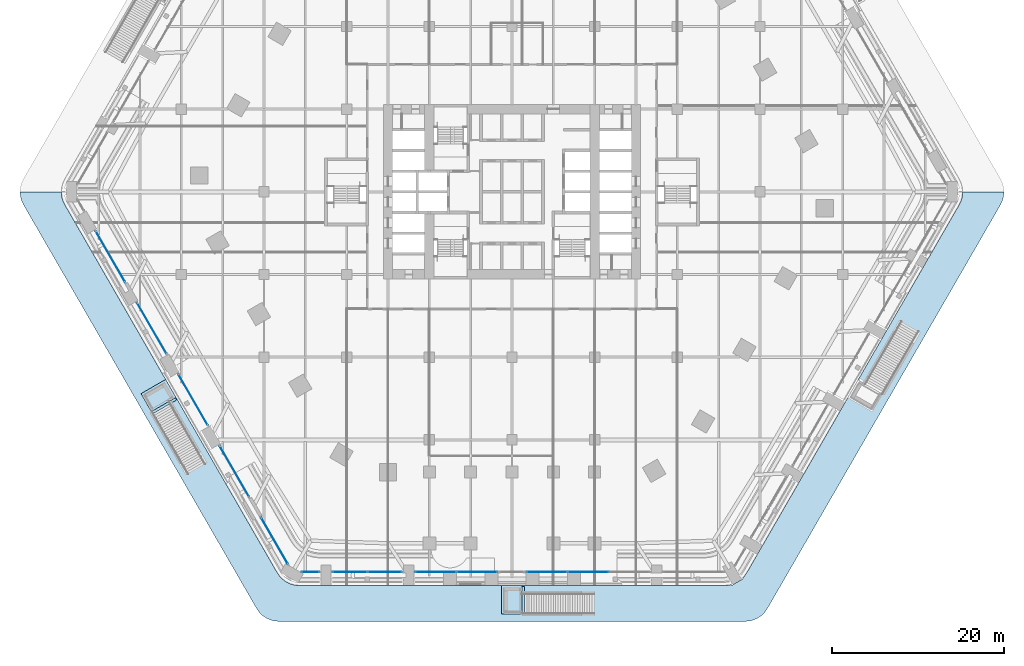
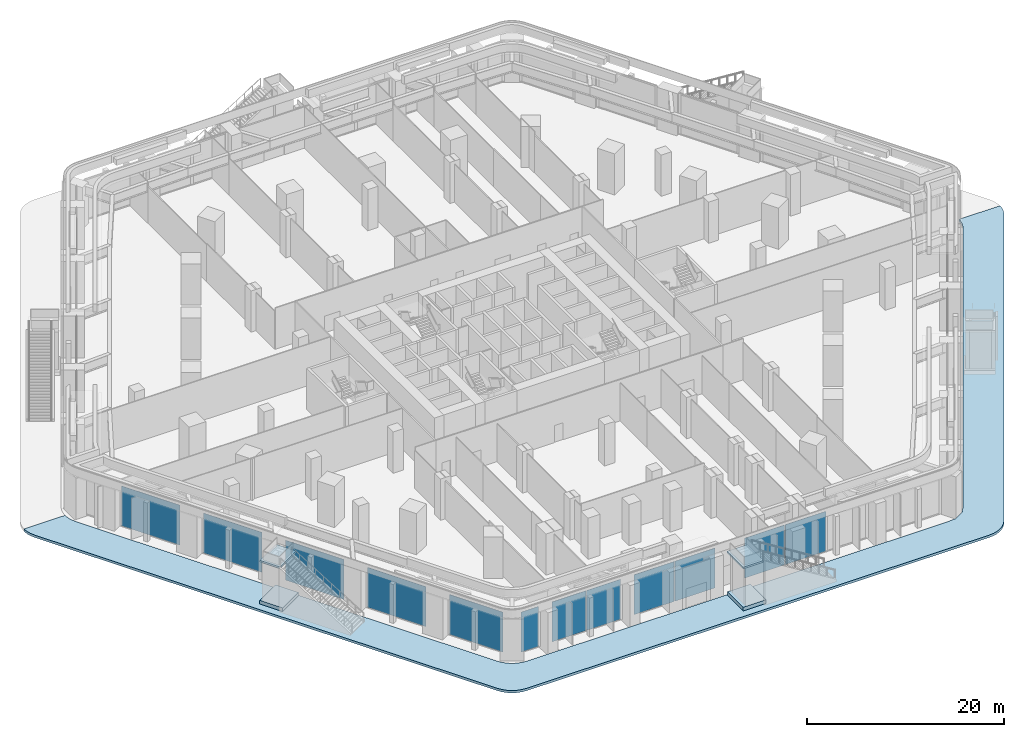
# One storey, part 12 of 34: 12 plates, 5 slabs, 11 elements without a shape of their own.
"""IFC4 building model written with IfcOpenShell, lengths in metres."""

from ifc_helpers import new_model, si_unit, direction, frame, origin, origin_2d, place, context, subcontext, project, spatial, polyline, rectangle, outline, extrude, material, layer, layer_set, type_object, element, aggregate, save


model = new_model("IFC4")

# Units and contexts
model_context = context("Model", 3, precision=1e-05, world=origin(), true_north=direction((0.0, 1.0)))
body_context = subcontext(model_context, "Body", "Model", "MODEL_VIEW")
ifc_project = project(units=[si_unit("LENGTHUNIT", "METRE"), si_unit("AREAUNIT", "SQUARE_METRE"), si_unit("VOLUMEUNIT", "CUBIC_METRE"), si_unit("PLANEANGLEUNIT", "RADIAN"), si_unit("MASSUNIT", "GRAM", prefix="KILO")], contexts=[model_context])

# Site, building, storey
site_placement = place(None, origin())
site = spatial("IfcSite", under=ifc_project, at=site_placement, CompositionType="ELEMENT")
building_placement = place(site_placement, origin())
building = spatial("IfcBuilding", under=site, at=building_placement, Name="Kolab Exchange Tower", CompositionType="ELEMENT")
storey_placement = place(building_placement, frame((0.0, 0.0, 7.0)))
storey = spatial("IfcBuildingStorey", under=building, at=storey_placement, Name="L01", CompositionType="ELEMENT", Elevation=7.0)

# Stair, slab
ifc_material_1 = material(Name="Concrete C40/50", Category="concrete")
stair_type = type_object("IfcStairType", Name="GARDEN STAIR RUN B", PredefinedType="STRAIGHT_RUN_STAIR", material=ifc_material_1)
stair_1_placement = place(storey_placement, origin())
stair_1 = element("IfcStair", 1, at=stair_1_placement, inside=storey, type_object=stair_type, Name="Garden stair GS4 run B", PredefinedType="STRAIGHT_RUN_STAIR")
ifc_layer_1 = layer(ifc_material_1, 0.199951171875)
ifc_layer_set_1 = layer_set([ifc_layer_1], Name="Concrete C40/50")
slab_type_1 = type_object("IfcSlabType", Name="GARDEN STAIR LANDING 200", PredefinedType="LANDING", material=ifc_layer_set_1)
slab_1_placement = place(storey_placement, frame((0.0, 0.0, 5.199951171875)))
slab_1 = element("IfcSlab", 2, at=slab_1_placement, type_object=slab_type_1, Name="GS4 landing 1", PredefinedType="LANDING", context=body_context, shape_type="SweptSolid", body=[
    extrude(outline(polyline([(1.1650390625, -45.72607421875), (-1.239990234375, -45.72607421875), (-1.239990234375, -49.026123046875), (1.1650390625, -49.026123046875), (1.1650390625, -45.72607421875)])), origin(), (0.0, 0.0, 1.0), 0.199951171875),
])
aggregate(stair_1, [slab_1])

stair_2_placement = place(storey_placement, origin())
stair_2 = element("IfcStair", 3, at=stair_2_placement, inside=storey, type_object=stair_type, Name="Garden stair GS5 run B", PredefinedType="STRAIGHT_RUN_STAIR")
slab_2_placement = place(storey_placement, frame((0.0, 0.0, 5.199951171875)))
slab_2 = element("IfcSlab", 4, at=slab_2_placement, type_object=slab_type_1, Name="GS5 landing 1", PredefinedType="LANDING", context=body_context, shape_type="SweptSolid", body=[
    extrude(outline(polyline([(-39.017578125, -23.8720703125), (-40.219970703125, -21.789306640625), (-43.077880859375, -23.439208984375), (-41.87548828125, -25.52197265625), (-39.017578125, -23.8720703125)])), origin(), (0.0, 0.0, 1.0), 0.199951171875),
])
aggregate(stair_2, [slab_2])

# Curtain wall, plates
ifc_material_2 = material(Name="Aluminium EN AW-6063 T6", Category="aluminium")
curtain_wall_type = type_object("IfcCurtainWallType", Name="PODIUM STRUCTURAL GLAZING CURTAIN WALL", PredefinedType="NOTDEFINED", material=ifc_material_2)
curtain_wall_1_placement = place(storey_placement, origin())
curtain_wall_1 = element("IfcCurtainWall", 5, at=curtain_wall_1_placement, inside=storey, type_object=curtain_wall_type, Name="cw/L01/F4-2", PredefinedType="NOTDEFINED")
ifc_material_3 = material(Name="Clear insulated glazing unit", Category="glass")
ifc_layer_2 = layer(ifc_material_3, 0.035888671875)
ifc_layer_set_2 = layer_set([ifc_layer_2], Name="Clear insulated glazing unit")
plate_type = type_object("IfcPlateType", Name="PODIUM STRUCTURAL GLAZING GLASS PANEL 36", PredefinedType="CURTAIN_PANEL", material=ifc_layer_set_2)
plate_1_placement = place(storey_placement, frame((8.868896484375, -44.146240234375, 0.080078125), z_axis=(0.0, 0.0, 1.0), x_axis=(-1.0, 0.0, 0.0)))
plate_1 = element("IfcPlate", 6, at=plate_1_placement, type_object=plate_type, Name="CW5 panel 2.1", PredefinedType="CURTAIN_PANEL", context=body_context, shape_type="SweptSolid", body=[
    extrude(rectangle(XDim=4.73388671875, YDim=0.035888671875, at=origin_2d()), origin(), (0.0, 0.0, 1.0), 4.93994140625),
])
plate_2_placement = place(storey_placement, frame((4.074951171875, -44.146240234375, 0.080078125), z_axis=(0.0, 0.0, 1.0), x_axis=(-1.0, 0.0, 0.0)))
plate_2 = element("IfcPlate", 7, at=plate_2_placement, type_object=plate_type, Name="CW5 panel 3.1", PredefinedType="CURTAIN_PANEL", context=body_context, shape_type="SweptSolid", body=[
    extrude(rectangle(XDim=4.694091796875, YDim=0.035888671875, at=origin_2d()), origin(), (0.0, 0.0, 1.0), 4.93994140625),
])
aggregate(curtain_wall_1, [plate_1, plate_2])

curtain_wall_2_placement = place(storey_placement, origin())
curtain_wall_2 = element("IfcCurtainWall", 8, at=curtain_wall_2_placement, inside=storey, type_object=curtain_wall_type, Name="cw/L01/F4-3", PredefinedType="NOTDEFINED")
plate_3_placement = place(storey_placement, frame((-4.07861328125, -44.146240234375, 0.080078125), z_axis=(0.0, 0.0, 1.0), x_axis=(-1.0, 0.0, 0.0)))
plate_3 = element("IfcPlate", 9, at=plate_3_placement, type_object=plate_type, Name="CW5 panel 1.1", PredefinedType="CURTAIN_PANEL", context=body_context, shape_type="SweptSolid", body=[
    extrude(rectangle(XDim=4.700927734375, YDim=0.035888671875, at=origin_2d()), origin(), (0.0, 0.0, 1.0), 4.93994140625),
])
plate_4_placement = place(storey_placement, frame((-8.859619140625, -44.146240234375, 0.080078125), z_axis=(0.0, 0.0, 1.0), x_axis=(-1.0, 0.0, 0.0)))
plate_4 = element("IfcPlate", 10, at=plate_4_placement, type_object=plate_type, Name="CW5 panel 2.1", PredefinedType="CURTAIN_PANEL", context=body_context, shape_type="SweptSolid", body=[
    extrude(rectangle(XDim=4.700927734375, YDim=0.035888671875, at=origin_2d()), origin(), (0.0, 0.0, 1.0), 4.93994140625),
])
aggregate(curtain_wall_2, [plate_3, plate_4])

curtain_wall_3_placement = place(storey_placement, origin())
curtain_wall_3 = element("IfcCurtainWall", 11, at=curtain_wall_3_placement, inside=storey, type_object=curtain_wall_type, Name="cw/L01/F4-4", PredefinedType="NOTDEFINED")
plate_5_placement = place(storey_placement, frame((-14.77490234375, -44.146240234375, 0.080078125), z_axis=(0.0, 0.0, 1.0), x_axis=(-1.0, 0.0, 0.0)))
plate_5 = element("IfcPlate", 12, at=plate_5_placement, type_object=plate_type, Name="CW5 panel 1.1", PredefinedType="CURTAIN_PANEL", context=body_context, shape_type="SweptSolid", body=[
    extrude(rectangle(XDim=3.969970703125, YDim=0.035888671875, at=origin_2d()), origin(), (0.0, 0.0, 1.0), 4.93994140625),
])
plate_6_placement = place(storey_placement, frame((-18.824951171875, -44.146240234375, 0.080078125), z_axis=(0.0, 0.0, 1.0), x_axis=(-1.0, 0.0, 0.0)))
plate_6 = element("IfcPlate", 13, at=plate_6_placement, type_object=plate_type, Name="CW5 panel 2.1", PredefinedType="CURTAIN_PANEL", context=body_context, shape_type="SweptSolid", body=[
    extrude(rectangle(XDim=3.969970703125, YDim=0.035888671875, at=origin_2d()), origin(), (0.0, 0.0, 1.0), 4.93994140625),
])
aggregate(curtain_wall_3, [plate_5, plate_6])

# Curtain wall, plate
curtain_wall_4_placement = place(storey_placement, origin())
curtain_wall_4 = element("IfcCurtainWall", 14, at=curtain_wall_4_placement, inside=storey, type_object=curtain_wall_type, Name="cw/L01/F4-5", PredefinedType="NOTDEFINED")
plate_7_placement = place(storey_placement, frame((-23.404296875, -44.146240234375, 0.080078125), z_axis=(0.0, 0.0, 1.0), x_axis=(-1.0, 0.0, 0.0)))
plate_7 = element("IfcPlate", 15, at=plate_7_placement, type_object=plate_type, Name="CW5 panel 1.1", PredefinedType="CURTAIN_PANEL", context=body_context, shape_type="SweptSolid", body=[
    extrude(rectangle(XDim=2.0283203125, YDim=0.035888671875, at=origin_2d()), origin(), (0.0, 0.0, 1.0), 4.93994140625),
])
aggregate(curtain_wall_4, [plate_7])

curtain_wall_5_placement = place(storey_placement, origin())
curtain_wall_5 = element("IfcCurtainWall", 16, at=curtain_wall_5_placement, inside=storey, type_object=curtain_wall_type, Name="cw/L01/F5-1", PredefinedType="NOTDEFINED")
plate_8_placement = place(storey_placement, frame((-27.57958984375, -40.52294921875, 0.080078125), z_axis=(0.0, 0.0, 1.0), x_axis=(-0.499999990946, 0.866025409012, 0.0)))
plate_8 = element("IfcPlate", 17, at=plate_8_placement, type_object=plate_type, Name="CW5 panel 1.1", PredefinedType="CURTAIN_PANEL", context=body_context, shape_type="SweptSolid", body=[
    extrude(rectangle(XDim=6.228515625, YDim=0.035888671875, at=origin_2d()), origin(), (0.0, 0.0, 1.0), 4.93994140625),
])
aggregate(curtain_wall_5, [plate_8])

curtain_wall_6_placement = place(storey_placement, origin())
curtain_wall_6 = element("IfcCurtainWall", 18, at=curtain_wall_6_placement, inside=storey, type_object=curtain_wall_type, Name="cw/L01/F5-2", PredefinedType="NOTDEFINED")
plate_9_placement = place(storey_placement, frame((-32.231689453125, -32.46533203125, 0.080078125), z_axis=(0.0, 0.0, 1.0), x_axis=(-0.500000019755, 0.866025392379, 0.0)))
plate_9 = element("IfcPlate", 19, at=plate_9_placement, type_object=plate_type, Name="CW5 panel 1.1", PredefinedType="CURTAIN_PANEL", context=body_context, shape_type="SweptSolid", body=[
    extrude(rectangle(XDim=6.820068359375, YDim=0.035888671875, at=origin_2d()), origin(), (0.0, 0.0, 1.0), 4.93994140625),
])
aggregate(curtain_wall_6, [plate_9])

curtain_wall_7_placement = place(storey_placement, origin())
curtain_wall_7 = element("IfcCurtainWall", 20, at=curtain_wall_7_placement, inside=storey, type_object=curtain_wall_type, Name="cw/L01/F5-3", PredefinedType="NOTDEFINED")
plate_10_placement = place(storey_placement, frame((-37.03173828125, -24.151611328125, 0.080078125), z_axis=(0.0, 0.0, 1.0), x_axis=(-0.500000019755, 0.866025392379, 0.0)))
plate_10 = element("IfcPlate", 21, at=plate_10_placement, type_object=plate_type, Name="CW5 panel 1.1", PredefinedType="CURTAIN_PANEL", context=body_context, shape_type="SweptSolid", body=[
    extrude(rectangle(XDim=6.820068359375, YDim=0.035888671875, at=origin_2d()), origin(), (0.0, 0.0, 1.0), 4.93994140625),
])
aggregate(curtain_wall_7, [plate_10])

curtain_wall_8_placement = place(storey_placement, origin())
curtain_wall_8 = element("IfcCurtainWall", 22, at=curtain_wall_8_placement, inside=storey, type_object=curtain_wall_type, Name="cw/L01/F5-4", PredefinedType="NOTDEFINED")
plate_11_placement = place(storey_placement, frame((-41.831787109375, -15.837646484375, 0.080078125), z_axis=(0.0, 0.0, 1.0), x_axis=(-0.500000019755, 0.866025392379, 0.0)))
plate_11 = element("IfcPlate", 23, at=plate_11_placement, type_object=plate_type, Name="CW5 panel 1.1", PredefinedType="CURTAIN_PANEL", context=body_context, shape_type="SweptSolid", body=[
    extrude(rectangle(XDim=6.820068359375, YDim=0.035888671875, at=origin_2d()), origin(), (0.0, 0.0, 1.0), 4.93994140625),
])
aggregate(curtain_wall_8, [plate_11])

curtain_wall_9_placement = place(storey_placement, origin())
curtain_wall_9 = element("IfcCurtainWall", 24, at=curtain_wall_9_placement, inside=storey, type_object=curtain_wall_type, Name="cw/L01/F5-5", PredefinedType="NOTDEFINED")
plate_12_placement = place(storey_placement, frame((-46.631591796875, -7.52392578125, 0.080078125), z_axis=(0.0, 0.0, 1.0), x_axis=(-0.500000019755, 0.866025392379, 0.0)))
plate_12 = element("IfcPlate", 25, at=plate_12_placement, type_object=plate_type, Name="CW5 panel 1.1", PredefinedType="CURTAIN_PANEL", context=body_context, shape_type="SweptSolid", body=[
    extrude(rectangle(XDim=6.820068359375, YDim=0.035888671875, at=origin_2d()), origin(), (0.0, 0.0, 1.0), 4.93994140625),
])
aggregate(curtain_wall_9, [plate_12])

# Slabs
ifc_layer_3 = layer(ifc_material_1, 0.449951171875)
ifc_layer_set_3 = layer_set([ifc_layer_3], Name="Concrete C40/50")
slab_type_2 = type_object("IfcSlabType", Name="STAIR PIER PLINTH 450", PredefinedType="FLOOR", material=ifc_layer_set_3)
slab_3_placement = place(storey_placement, origin())
element("IfcSlab", 26, at=slab_3_placement, inside=storey, type_object=slab_type_2, Name="Stair pier plinth", PredefinedType="FLOOR", context=body_context, shape_type="SweptSolid", body=[
    extrude(outline(polyline([(1.4599609375, -45.826171875), (-1.239990234375, -45.826171875), (-1.239990234375, -49.026123046875), (1.4599609375, -49.026123046875), (1.4599609375, -45.826171875)])), origin(), (0.0, 0.0, 1.0), 0.449951171875),
])
slab_4_placement = place(storey_placement, origin())
element("IfcSlab", 27, at=slab_4_placement, inside=storey, type_object=slab_type_2, Name="Stair pier plinth", PredefinedType="FLOOR", context=body_context, shape_type="SweptSolid", body=[
    extrude(outline(polyline([(-38.95654296875, -24.177490234375), (-40.306640625, -21.839111328125), (-43.077880859375, -23.439208984375), (-41.727783203125, -25.777587890625), (-38.95654296875, -24.177490234375)])), origin(), (0.0, 0.0, 1.0), 0.449951171875),
])
ifc_material_4 = material(Name="Concrete C35/45", Category="concrete")
ifc_layer_4 = layer(ifc_material_4, 0.300048828125)
ifc_layer_set_4 = layer_set([ifc_layer_4], Name="Concrete C35/45")
slab_type_3 = type_object("IfcSlabType", Name="TERRACE SLAB 300 PLANTED", PredefinedType="ROOF", material=ifc_layer_set_4)
slab_5_placement = place(storey_placement, frame((0.0, 0.0, -0.300048828125)))
element("IfcSlab", 28, at=slab_5_placement, inside=storey, type_object=slab_type_3, Name="slab/L00/podium-1/1", PredefinedType="ROOF", context=body_context, shape_type="SweptSolid", body=[
    extrude(outline(polyline([(51.93408203125, -1.5), (43.574951171875, -15.978271484375), (42.824951171875, -17.277099609375), (38.77490234375, -24.2919921875), (38.02490234375, -25.591064453125), (33.97509765625, -32.60595703125), (33.22509765625, -33.90478515625), (29.175048828125, -40.919677734375), (28.425048828125, -42.21875), (27.26611328125, -44.22607421875), (26.966064453125, -44.654541015625), (26.763916015625, -44.856689453125), (26.8173828125, -44.94921875), (26.16796875, -45.32421875), (25.518310546875, -45.69921875), (25.46484375, -45.606689453125), (25.18896484375, -45.6806640625), (24.66796875, -45.72607421875), (17.550048828125, -45.72607421875), (16.050048828125, -45.72607421875), (7.949951171875, -45.72607421875), (6.449951171875, -45.72607421875), (3.14990234375, -45.72607421875), (1.64990234375, -45.72607421875), (-1.64990234375, -45.72607421875), (-3.14990234375, -45.72607421875), (-6.449951171875, -45.72607421875), (-7.949951171875, -45.72607421875), (-11.25, -45.72607421875), (-12.75, -45.72607421875), (-20.85009765625, -45.72607421875), (-22.35009765625, -45.72607421875), (-24.66796875, -45.72607421875), (-25.18896484375, -45.6806640625), (-25.694091796875, -45.545166015625), (-26.16796875, -45.32421875), (-26.59619140625, -45.024169921875), (-26.966064453125, -44.654541015625), (-27.26611328125, -44.22607421875), (-51.93408203125, -1.5), (-52.155029296875, -1.026123046875), (-52.290283203125, -0.52099609375), (-52.3359375, 0.0), (-57.135986328125, 0.0), (-57.09033203125, -0.52099609375), (-56.955078125, -1.026123046875), (-56.73388671875, -1.5), (-29.666015625, -48.383056640625), (-29.365966796875, -48.8115234375), (-28.996337890625, -49.18115234375), (-28.56787109375, -49.481201171875), (-28.093994140625, -49.7021484375), (-27.5888671875, -49.83740234375), (-27.06787109375, -49.883056640625), (27.06787109375, -49.883056640625), (27.5888671875, -49.83740234375), (28.093994140625, -49.7021484375), (28.56787109375, -49.481201171875), (28.996337890625, -49.18115234375), (29.365966796875, -48.8115234375), (29.666015625, -48.383056640625), (56.73388671875, -1.5), (56.955078125, -1.026123046875), (57.09033203125, -0.52099609375), (57.135986328125, 0.0), (52.3359375, 0.0), (52.290283203125, -0.52099609375), (52.155029296875, -1.026123046875), (51.93408203125, -1.5)])), origin(), (0.0, 0.0, 1.0), 0.300048828125),
])

save(model, "model.ifc")
